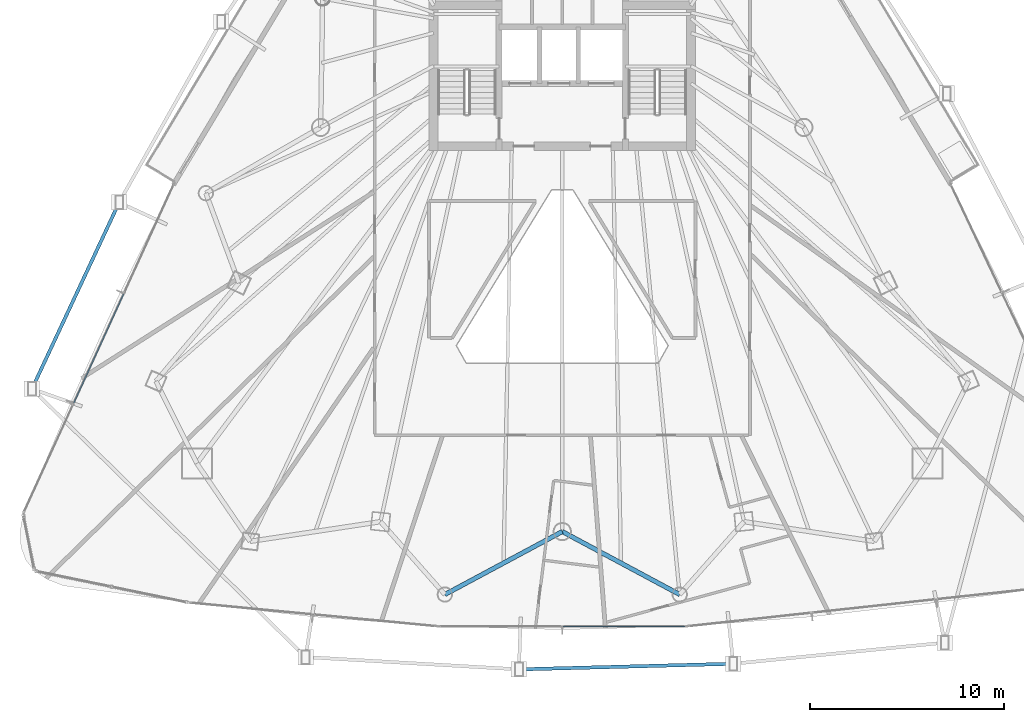
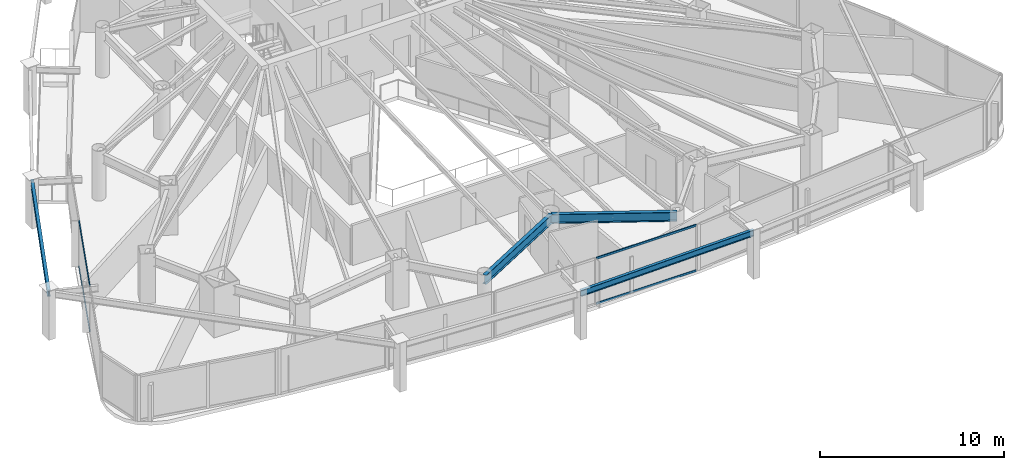
# One storey, part 7 of 33: 4 beams, 4 members, 2 elements without a shape of their own.
"""IFC4 building model written with IfcOpenShell, lengths in metres."""

from ifc_helpers import new_model, si_unit, direction, frame, origin, origin_2d, place, context, subcontext, project, spatial, hollow_rectangle, i_section, extrude, material, layer, layer_set, material_profile, profile_set, type_object, element, aggregate, save


model = new_model("IFC4")

# Units and contexts
model_context = context("Model", 3, precision=1e-05, world=origin(), true_north=direction((0.0, 1.0)))
body_context = subcontext(model_context, "Body", "Model", "MODEL_VIEW")
ifc_project = project(units=[si_unit("LENGTHUNIT", "METRE"), si_unit("AREAUNIT", "SQUARE_METRE"), si_unit("VOLUMEUNIT", "CUBIC_METRE"), si_unit("PLANEANGLEUNIT", "RADIAN"), si_unit("MASSUNIT", "GRAM", prefix="KILO")], contexts=[model_context])

# Site, building, storey
site_placement = place(None, origin())
site = spatial("IfcSite", under=ifc_project, at=site_placement, CompositionType="ELEMENT")
building_placement = place(site_placement, origin())
building = spatial("IfcBuilding", under=site, at=building_placement, Name="Orvanel Arch Residences", CompositionType="ELEMENT")
storey_placement = place(building_placement, frame((0.0, 0.0, 70.85009765625)))
storey = spatial("IfcBuildingStorey", under=building, at=storey_placement, Name="L19", CompositionType="ELEMENT", Elevation=70.85009765625)

# Beams
ifc_material_1 = material(Name="Structural steel AS/NZS 3679.1 Grade 300 (300 MPa)", Category="steel")
ifc_material_profile_1 = material_profile(ifc_material_1, i_section(OverallWidth=0.177978515625, OverallDepth=0.406005859375, WebThickness=0.0078125, FlangeThickness=0.0126953125, at=origin_2d()), Name="410UB59.7")
ifc_profile_set_1 = profile_set([ifc_material_profile_1], Name="Structural steel AS/NZS 3679.1 Grade 300 (300 MPa)")
beam_type_1 = type_object("IfcBeamType", Name="OB-410UB-EXT", PredefinedType="SPANDREL", material=ifc_profile_set_1)
beam_1_placement = place(storey_placement, frame((10.198974609375, 23.779052734375, 2.85693359375), z_axis=(-0.423609751468, -0.90584478718, 0.0), x_axis=(0.90584478718, -0.423609751468, 0.0)))
element("IfcBeam", 1, at=beam_1_placement, inside=storey, type_object=beam_type_1, Name="L19 Outer Perimeter Floor Ring Beam 03", PredefinedType="SPANDREL", context=body_context, shape_type="SweptSolid", body=[
    extrude(i_section(OverallWidth=0.177978515625, OverallDepth=0.406005859375, WebThickness=0.0078125, FlangeThickness=0.0126953125, at=origin_2d()), origin(), (0.0, 0.0, 1.0), 10.590087890625),
])
beam_2_placement = place(storey_placement, frame((30.77099609375, -0.2470703125, 2.85693359375), z_axis=(0.999656396903, 0.02621236599, 0.0), x_axis=(-0.02621236599, 0.999656396903, 0.0)))
element("IfcBeam", 2, at=beam_2_placement, inside=storey, type_object=beam_type_1, Name="L19 Outer Perimeter Floor Ring Beam 06", PredefinedType="SPANDREL", context=body_context, shape_type="SweptSolid", body=[
    extrude(i_section(OverallWidth=0.177978515625, OverallDepth=0.406005859375, WebThickness=0.0078125, FlangeThickness=0.0126953125, at=origin_2d()), origin(), (0.0, 0.0, 1.0), 11.02783203125),
])
ifc_material_profile_2 = material_profile(ifc_material_1, i_section(OverallWidth=0.22900390625, OverallDepth=0.612060546875, WebThickness=0.011962890625, FlangeThickness=0.01953125, at=origin_2d()), Name="610UB125")
ifc_profile_set_2 = profile_set([ifc_material_profile_2], Name="Structural steel AS/NZS 3679.1 Grade 300 (300 MPa)")
beam_type_2 = type_object("IfcBeamType", Name="SP-610UB", PredefinedType="SPANDREL", material=ifc_profile_set_2)
for number, where, z_axis, x_axis, name in (
    (3, (26.9580078125, 3.60498046875, 2.75390625), (0.881344400551, 0.472474388319, 0.0), (-0.472474388319, 0.881344400551, 0.0), "L19 Perimeter Spandrel Beam 06"),
    (4, (33.0, 6.843994140625, 2.75390625), (0.881344400551, -0.472474388319, 0.0), (0.472474388319, 0.881344400551, 0.0), "L19 Perimeter Spandrel Beam 07"),
):
    element("IfcBeam", number, at=place(storey_placement, frame(where, z_axis=z_axis, x_axis=x_axis)), inside=storey, type_object=beam_type_2, Name=name, PredefinedType="SPANDREL", context=body_context, shape_type="SweptSolid", body=[
        extrude(i_section(OverallWidth=0.22900390625, OverallDepth=0.612060546875, WebThickness=0.011962890625, FlangeThickness=0.01953125, at=origin_2d()), origin(), (0.0, 0.0, 1.0), 6.85546875),
    ])

# Curtain wall, members
ifc_material_2 = material(Name="Bronze-anodised aluminium AA6063-T6", Category="aluminium")
ifc_layer = layer(ifc_material_2, 0.179931640625)
ifc_layer_set = layer_set([ifc_layer], Name="Bronze-anodised aluminium AA6063-T6")
curtain_wall_type = type_object("IfcCurtainWallType", Name="CW2-LOW-SYS", PredefinedType="NOTDEFINED", material=ifc_layer_set)
curtain_wall_1_placement = place(storey_placement, origin())
curtain_wall_1 = element("IfcCurtainWall", 5, at=curtain_wall_1_placement, inside=storey, type_object=curtain_wall_type, Name="L19 CW2-LOW-SYS Unitised Curtain Wall", PredefinedType="NOTDEFINED")
ifc_material_profile_3 = material_profile(ifc_material_2, hollow_rectangle(XDim=0.06005859375, YDim=0.135009765625, WallThickness=0.00390625, at=origin_2d()), Name="ALU135x60x4")
ifc_profile_set_3 = profile_set([ifc_material_profile_3], Name="Bronze-anodised aluminium AA6063-T6")
member_type = type_object("IfcMemberType", Name="TRN-135x60", PredefinedType="USERDEFINED", material=ifc_profile_set_3)
member_1_placement = place(storey_placement, frame((10.42919921875, 19.061767578125, 0.02978515625), z_axis=(-0.415704488357, -0.909499740714, 0.0), x_axis=(0.909499740714, -0.415704488357, 0.0)))
member_1 = element("IfcMember", 6, at=member_1_placement, type_object=member_type, Name="CW-S2 transom 2.1", ObjectType="TRANSOM", PredefinedType="USERDEFINED", context=body_context, shape_type="SweptSolid", body=[
    extrude(hollow_rectangle(XDim=0.06005859375, YDim=0.135009765625, WallThickness=0.00390625, at=origin_2d()), origin(), (0.0, 0.0, 1.0), 6.158935546875),
])
member_2_placement = place(storey_placement, frame((10.42919921875, 19.061767578125, 3.02978515625), z_axis=(-0.415704488357, -0.909499740714, 0.0), x_axis=(0.909499740714, -0.415704488357, 0.0)))
member_2 = element("IfcMember", 7, at=member_2_placement, type_object=member_type, Name="CW-S2 transom 2.2", ObjectType="TRANSOM", PredefinedType="USERDEFINED", context=body_context, shape_type="SweptSolid", body=[
    extrude(hollow_rectangle(XDim=0.06005859375, YDim=0.135009765625, WallThickness=0.00390625, at=origin_2d()), origin(), (0.0, 0.0, 1.0), 6.158935546875),
])
aggregate(curtain_wall_1, [member_1, member_2])

curtain_wall_2_placement = place(storey_placement, origin())
curtain_wall_2 = element("IfcCurtainWall", 8, at=curtain_wall_2_placement, inside=storey, type_object=curtain_wall_type, Name="L19 CW2-LOW-SYS Unitised Curtain Wall", PredefinedType="NOTDEFINED")
member_3_placement = place(storey_placement, frame((33.034912109375, 1.966064453125, 0.02978515625), z_axis=(1.0, 0.0, 0.0), x_axis=(0.0, 1.0, 0.0)))
member_3 = element("IfcMember", 9, at=member_3_placement, type_object=member_type, Name="CW-S2 transom 2.1", ObjectType="TRANSOM", PredefinedType="USERDEFINED", context=body_context, shape_type="SweptSolid", body=[
    extrude(hollow_rectangle(XDim=0.06005859375, YDim=0.135009765625, WallThickness=0.00390625, at=origin_2d()), origin(), (0.0, 0.0, 1.0), 6.2880859375),
])
member_4_placement = place(storey_placement, frame((33.034912109375, 1.966064453125, 3.02978515625), z_axis=(1.0, 0.0, 0.0), x_axis=(0.0, 1.0, 0.0)))
member_4 = element("IfcMember", 10, at=member_4_placement, type_object=member_type, Name="CW-S2 transom 2.2", ObjectType="TRANSOM", PredefinedType="USERDEFINED", context=body_context, shape_type="SweptSolid", body=[
    extrude(hollow_rectangle(XDim=0.06005859375, YDim=0.135009765625, WallThickness=0.00390625, at=origin_2d()), origin(), (0.0, 0.0, 1.0), 6.2880859375),
])
aggregate(curtain_wall_2, [member_3, member_4])

save(model, "model.ifc")
